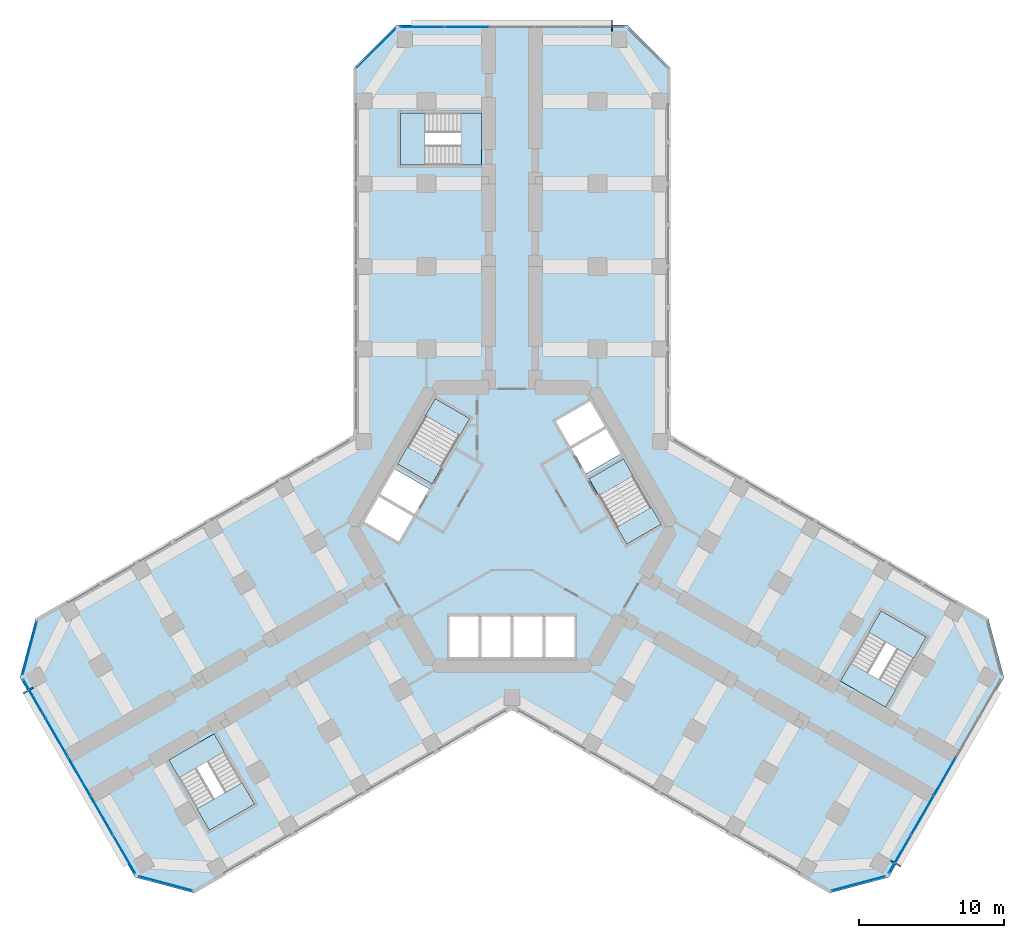
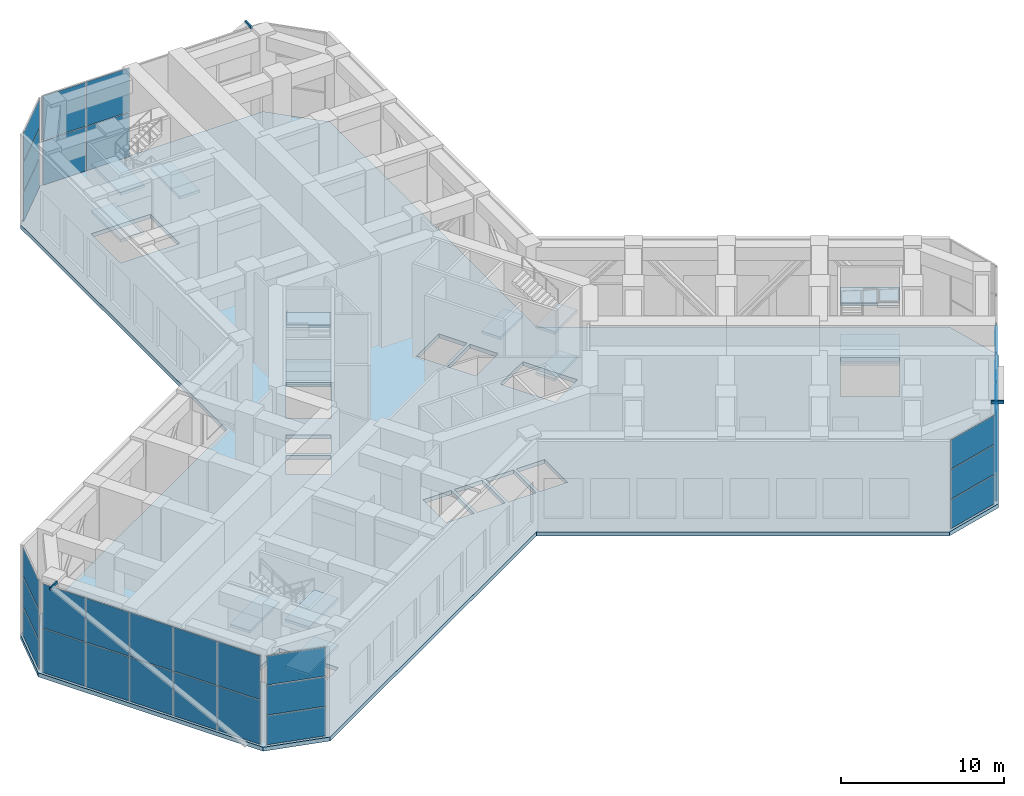
# One storey, part 9 of 17: 32 plates, 16 slabs, 3 members, 12 elements without a shape of their own.
"""IFC4 building model written with IfcOpenShell, lengths in metres."""

import ifcopenshell
import ifcopenshell.guid

model = None  # the IFC model being written
_history = None  # IfcOwnerHistory: only IFC2X3 demands one
_inside = {}  # id of a spatial element -> (the spatial element, [elements in it])
_under = {}  # id of a project, library or spatial element -> (it, [spatial elements below it])
_declared = {}  # id of a project -> (the project, [libraries it declares])
_typed = {}  # id of a type object -> (the type object, [elements of that type])
_made_of = {}  # id of a material, layer set ... -> (it, [elements and type objects made of it])


def new_model(schema):
    """Start an empty IFC model of exactly this schema.

    Asked for "IFC4X3", IfcOpenShell would pick the latest addendum, in which some entities
    have other attributes; the version numbers below select the first issue.
    IFC2X3 requires an IfcOwnerHistory on every rooted entity: one is made here for all.
    """
    global model, _history
    if schema == "IFC4X3":
        model = ifcopenshell.file(schema_version=(4, 3, 0, 0))
    else:
        model = ifcopenshell.file(schema=schema)
    _inside.clear()
    _under.clear()
    _declared.clear()
    _typed.clear()
    _made_of.clear()
    _history = None
    if model.schema == "IFC2X3":
        org = make("IfcOrganization", Name="unknown")
        user = make(
            "IfcPersonAndOrganization",
            ThePerson=make("IfcPerson", FamilyName="unknown"),
            TheOrganization=org,
        )
        app = make(
            "IfcApplication",
            ApplicationDeveloper=org,
            Version="unknown",
            ApplicationFullName="unknown",
            ApplicationIdentifier="unknown",
        )
        _history = make(
            "IfcOwnerHistory",
            OwningUser=user,
            OwningApplication=app,
            ChangeAction="ADDED",
            CreationDate=0,
        )
    return model


def make(cls, **values):
    """One entity of the class cls with the attributes given. An attribute that is None is left unset."""
    return model.create_entity(
        cls, **{name: value for name, value in values.items() if value is not None}
    )


def rooted(cls, **values):
    """An entity with a GlobalId (a new one), such as an element, a storey or a relation."""
    return make(cls, GlobalId=ifcopenshell.guid.new(), OwnerHistory=_history, **values)


def si_unit(unit_type, name, prefix=None):
    """IfcSIUnit, for example si_unit("LENGTHUNIT", "METRE", prefix="MILLI")."""
    return make("IfcSIUnit", UnitType=unit_type, Prefix=prefix, Name=name)


def assignment(units):
    """IfcUnitAssignment: the units of a project."""
    return None if units is None else make("IfcUnitAssignment", Units=units)


def point(xyz):
    """IfcCartesianPoint."""
    return None if xyz is None else make("IfcCartesianPoint", Coordinates=xyz)


def direction(xyz):
    """IfcDirection."""
    return None if xyz is None else make("IfcDirection", DirectionRatios=xyz)


def frame(location, z_axis=None, x_axis=None):
    """IfcAxis2Placement3D, a coordinate frame: its origin and axes. An axis left out is left unset."""
    return make(
        "IfcAxis2Placement3D",
        Location=point(location),
        Axis=direction(z_axis),
        RefDirection=direction(x_axis),
    )


def frame_2d(location, x_axis=None):
    """IfcAxis2Placement2D, a coordinate frame in the plane: its origin and x axis."""
    return make(
        "IfcAxis2Placement2D", Location=point(location), RefDirection=direction(x_axis)
    )


def origin():
    """The frame at (0, 0, 0) with its axes left unset."""
    return frame((0.0, 0.0, 0.0))


def origin_2d():
    """The frame at (0, 0) in the plane with its x axis left unset."""
    return frame_2d((0.0, 0.0))


def place(relative_to, where):
    """IfcLocalPlacement: puts the frame where relative to a parent placement (None: the world)."""
    return make(
        "IfcLocalPlacement", PlacementRelTo=relative_to, RelativePlacement=where
    )


def context(
    kind, dimensions, precision=None, world=None, true_north=None, identifier=None
):
    """IfcGeometricRepresentationContext, for example the 3D "Model" context."""
    return make(
        "IfcGeometricRepresentationContext",
        ContextIdentifier=identifier,
        ContextType=kind,
        CoordinateSpaceDimension=dimensions,
        Precision=precision,
        WorldCoordinateSystem=world,
        TrueNorth=true_north,
    )


def subcontext(parent, identifier, kind, view, scale=None):
    """IfcGeometricRepresentationSubContext, for example "Body" below "Model"."""
    return make(
        "IfcGeometricRepresentationSubContext",
        ContextIdentifier=identifier,
        ContextType=kind,
        ParentContext=parent,
        TargetScale=scale,
        TargetView=view,
    )


def project(units=None, contexts=None):
    """IfcProject with its units and contexts."""
    return rooted(
        "IfcProject",
        Name="project",
        RepresentationContexts=contexts,
        UnitsInContext=assignment(units),
    )


def spatial(cls, under=None, at=None, **own):
    """A site, building, storey or space (cls), placed at a placement, below another one or the project."""
    s = rooted(cls, ObjectPlacement=at, **own)
    if under is not None:
        _under.setdefault(under.id(), (under, []))[1].append(s)
    return s


def polyline(points):
    """IfcPolyline through the points."""
    return make("IfcPolyline", Points=[point(p) for p in points])


def profile(cls, at=None, kind="AREA", **sizes):
    """A parametric profile (cls). Its sizes go by their IFC names, for example OverallWidth=200.0."""
    return make(cls, ProfileType=kind, Position=at, **sizes)


def rectangle(**sizes):
    """IfcRectangleProfileDef."""
    return profile("IfcRectangleProfileDef", **sizes)


def hollow_rectangle(**sizes):
    """IfcRectangleHollowProfileDef."""
    return profile("IfcRectangleHollowProfileDef", **sizes)


def outline(outer, holes=None, kind="AREA"):
    """IfcArbitraryClosedProfileDef: a profile drawn as a closed curve; with holes, ...WithVoids."""
    if holes is None:
        return make("IfcArbitraryClosedProfileDef", ProfileType=kind, OuterCurve=outer)
    return make(
        "IfcArbitraryProfileDefWithVoids",
        ProfileType=kind,
        OuterCurve=outer,
        InnerCurves=holes,
    )


def extrude(swept, where, along, depth):
    """IfcExtrudedAreaSolid: the profile swept, set in the frame where, extruded along a direction by depth."""
    return make(
        "IfcExtrudedAreaSolid",
        SweptArea=swept,
        Position=where,
        ExtrudedDirection=direction(along),
        Depth=depth,
    )


def shape(context_of_items, identifier, shape_type, items):
    """IfcShapeRepresentation: the items that make up one representation, for example the "Body"."""
    return make(
        "IfcShapeRepresentation",
        ContextOfItems=context_of_items,
        RepresentationIdentifier=identifier,
        RepresentationType=shape_type,
        Items=items,
    )


def material(Name=None, Category=None):
    """IfcMaterial."""
    return make("IfcMaterial", Name=Name, Category=Category)


def layer(
    of_material, thickness, ventilated=None, Name=None, Category=None, Priority=None
):
    """IfcMaterialLayer: one layer of a wall or slab, of a material (None: an air gap)."""
    return make(
        "IfcMaterialLayer",
        Material=of_material,
        LayerThickness=thickness,
        IsVentilated=ventilated,
        Name=Name,
        Category=Category,
        Priority=Priority,
    )


def layer_set(layers, Name=None):
    """IfcMaterialLayerSet."""
    return make("IfcMaterialLayerSet", MaterialLayers=layers, LayerSetName=Name)


def material_profile(
    of_material, cross_section, Name=None, Category=None, Priority=None
):
    """IfcMaterialProfile: a cross section and its material."""
    return make(
        "IfcMaterialProfile",
        Name=Name,
        Material=of_material,
        Profile=cross_section,
        Priority=Priority,
        Category=Category,
    )


def profile_set(profiles, Name=None, composite=None):
    """IfcMaterialProfileSet."""
    return make(
        "IfcMaterialProfileSet",
        Name=Name,
        MaterialProfiles=profiles,
        CompositeProfile=composite,
    )


def made_of(thing, what):
    """Note that an element or type object is made of a material, layer set ...; save() writes the relation."""
    if what is not None:
        _made_of.setdefault(what.id(), (what, []))[1].append(thing)
    return thing


def type_object(cls, material=None, **own):
    """A type object (cls), such as IfcWallType, which elements share."""
    return made_of(rooted(cls, **own), material)


def element(
    cls,
    number,
    at=None,
    inside=None,
    cuts=None,
    type_object=None,
    material=None,
    context=None,
    identifier="Body",
    shape_type=None,
    held_by="IfcProductDefinitionShape",
    body=None,
    shapes=None,
    **own,
):
    """One element of the class cls, such as IfcWall. Its Tag is "e" and its number.

    at: its placement. inside: the storey or other place that contains it. cuts: it is an
    opening in that element (IfcRelVoidsElement). A single representation is given by context,
    identifier, shape_type and body (its items); several are given by shapes. held_by: the class
    of the entity that holds the representations. save() writes the other relations.
    """
    e = rooted(cls, Tag="e%d" % number, ObjectPlacement=at, **own)
    if body is not None:
        shapes = [shape(context, identifier, shape_type, body)]
    if shapes is not None:
        e.Representation = make(held_by, Representations=shapes)
    if inside is not None:
        _inside.setdefault(inside.id(), (inside, []))[1].append(e)
    if cuts is not None:
        rooted(
            "IfcRelVoidsElement", RelatingBuildingElement=cuts, RelatedOpeningElement=e
        )
    if type_object is not None:
        _typed.setdefault(type_object.id(), (type_object, []))[1].append(e)
    return made_of(e, material)


def aggregate(whole, parts):
    """IfcRelAggregates: a whole, such as a stair, and the parts it consists of."""
    return rooted("IfcRelAggregates", RelatingObject=whole, RelatedObjects=parts)


def save(model, path):
    """Write the relations noted so far, then the file.

    IfcRelAggregates (storeys below a building ...), IfcRelContainedInSpatialStructure (elements
    in a storey), IfcRelDefinesByType, IfcRelAssociatesMaterial and IfcRelDeclares: one each for
    every whole, place, type object, material and project.
    """
    for whole, parts in _under.values():
        aggregate(whole, parts)
    for where, things in _inside.values():
        rooted(
            "IfcRelContainedInSpatialStructure",
            RelatedElements=things,
            RelatingStructure=where,
        )
    for kind, things in _typed.values():
        rooted("IfcRelDefinesByType", RelatedObjects=things, RelatingType=kind)
    for what, things in _made_of.values():
        rooted("IfcRelAssociatesMaterial", RelatedObjects=things, RelatingMaterial=what)
    for by, libraries in _declared.values():
        rooted("IfcRelDeclares", RelatingContext=by, RelatedDefinitions=libraries)
    model.write(path)


model = new_model("IFC4")

# Units and contexts
model_context = context("Model", 3, precision=1e-05, world=origin(), true_north=direction((0.0, 1.0)))
body_context = subcontext(model_context, "Body", "Model", "MODEL_VIEW")
ifc_project = project(units=[si_unit("LENGTHUNIT", "METRE"), si_unit("AREAUNIT", "SQUARE_METRE"), si_unit("VOLUMEUNIT", "CUBIC_METRE"), si_unit("PLANEANGLEUNIT", "RADIAN"), si_unit("MASSUNIT", "GRAM", prefix="KILO")], contexts=[model_context])

# Site, building, storey
site_placement = place(None, origin())
site = spatial("IfcSite", under=ifc_project, at=site_placement, CompositionType="ELEMENT")
building_placement = place(site_placement, origin())
building = spatial("IfcBuilding", under=site, at=building_placement, Name="Kosmar Iwan School Tower", CompositionType="ELEMENT")
storey_placement = place(building_placement, frame((0.0, 0.0, 32.39990234375)))
storey = spatial("IfcBuildingStorey", under=building, at=storey_placement, Name="L07", CompositionType="ELEMENT", Elevation=32.39990234375)

# Members
ifc_material_1 = material(Name="Steel S355", Category="steel")
ifc_material_profile = material_profile(ifc_material_1, hollow_rectangle(XDim=0.10009765625, YDim=0.199951171875, WallThickness=0.008056640625, at=origin_2d()), Name="RHS 200x100x8")
ifc_profile_set = profile_set([ifc_material_profile], Name="Steel S355")
member_type = type_object("IfcMemberType", Name="Fin bracket RHS 200x100", PredefinedType="USERDEFINED", material=ifc_profile_set)
member_placement = place(storey_placement, frame((26.125732421875, -23.049072265625, 6.875), z_axis=(0.866017831539, -0.500013115284, 0.0), x_axis=(0.500013115284, 0.866017831539, 0.0)))
element("IfcMember", 1, at=member_placement, inside=storey, type_object=member_type, Name="Fin bracket L08", ObjectType="FIN BRACKET", PredefinedType="USERDEFINED", context=body_context, shape_type="SweptSolid", body=[
    extrude(hollow_rectangle(XDim=0.10009765625, YDim=0.199951171875, WallThickness=0.008056640625, at=origin_2d()), origin(), (0.0, 0.0, 1.0), 0.7998046875),
])
for number, where, z_axis, x_axis, name in (
    (2, (6.898193359375, 34.14990234375, 6.875), (0.0, 1.0, 0.0), (-1.0, 0.0, 0.0), "Fin bracket L08"),
    (3, (-33.02392578125, -11.10107421875, 6.875), (-0.866094119867, -0.499880961361, 0.0), (0.499880961361, -0.866094119867, 0.0), "Fin bracket L08"),
):
    element("IfcMember", number, at=place(storey_placement, frame(where, z_axis=z_axis, x_axis=x_axis)), inside=storey, type_object=member_type, Name=name, ObjectType="FIN BRACKET", PredefinedType="USERDEFINED", context=body_context, shape_type="SweptSolid", body=[
        extrude(hollow_rectangle(XDim=0.10009765625, YDim=0.199951171875, WallThickness=0.008056640625, at=origin_2d()), origin(), (0.0, 0.0, 1.0), 0.800048828125),
    ])

# Curtain wall, plates
ifc_material_2 = material(Name="Black aluminium louvres and glass", Category="aluminium")
curtain_wall_type_1 = type_object("IfcCurtainWallType", Name="Plant floor louvred curtain wall", PredefinedType="USERDEFINED", material=ifc_material_2)
curtain_wall_1_placement = place(storey_placement, origin())
curtain_wall_1 = element("IfcCurtainWall", 4, at=curtain_wall_1_placement, inside=storey, type_object=curtain_wall_type_1, Name="Curtain wall L07-F03", ObjectType="LOUVRED CURTAIN WALL", PredefinedType="USERDEFINED")
ifc_material_3 = material(Name="Black anodised aluminium louvre blades", Category="aluminium")
ifc_layer_1 = layer(ifc_material_3, 0.050048828125)
ifc_layer_set_1 = layer_set([ifc_layer_1], Name="Aluminium louvre panel")
plate_type_1 = type_object("IfcPlateType", Name="Aluminium louvre panel", PredefinedType="SHEET", material=ifc_layer_set_1)
plate_1_placement = place(storey_placement, frame((26.764404296875, -22.592529296875, 0.06005859375), z_axis=(0.0, 0.0, 1.0), x_axis=(0.499999997325, 0.866025405329, 0.0)))
plate_1 = element("IfcPlate", 5, at=plate_1_placement, type_object=plate_type_1, Name="CW4 panel 1.1", PredefinedType="CURTAIN_PANEL", context=body_context, shape_type="SweptSolid", body=[
    extrude(rectangle(XDim=3.00927734375, YDim=0.050048828125, at=origin_2d()), origin(), (0.0, 0.0, 1.0), 3.284912109375),
])
plate_2_placement = place(storey_placement, frame((26.764404296875, -22.592529296875, 3.4052734375), z_axis=(0.0, 0.0, 1.0), x_axis=(0.499999997325, 0.866025405329, 0.0)))
plate_2 = element("IfcPlate", 6, at=plate_2_placement, type_object=plate_type_1, Name="CW4 panel 1.2", PredefinedType="CURTAIN_PANEL", context=body_context, shape_type="SweptSolid", body=[
    extrude(rectangle(XDim=3.00927734375, YDim=0.050048828125, at=origin_2d()), origin(), (0.0, 0.0, 1.0), 3.284912109375),
])
plate_3_placement = place(storey_placement, frame((28.306640625, -19.921630859375, 0.06005859375), z_axis=(0.0, 0.0, 1.0), x_axis=(0.499999997325, 0.866025405329, 0.0)))
plate_3 = element("IfcPlate", 7, at=plate_3_placement, type_object=plate_type_1, Name="CW4 panel 2.1", PredefinedType="CURTAIN_PANEL", context=body_context, shape_type="SweptSolid", body=[
    extrude(rectangle(XDim=3.039306640625, YDim=0.050048828125, at=origin_2d()), origin(), (0.0, 0.0, 1.0), 3.284912109375),
])
plate_4_placement = place(storey_placement, frame((28.306640625, -19.921630859375, 3.4052734375), z_axis=(0.0, 0.0, 1.0), x_axis=(0.499999997325, 0.866025405329, 0.0)))
plate_4 = element("IfcPlate", 8, at=plate_4_placement, type_object=plate_type_1, Name="CW4 panel 2.2", PredefinedType="CURTAIN_PANEL", context=body_context, shape_type="SweptSolid", body=[
    extrude(rectangle(XDim=3.039306640625, YDim=0.050048828125, at=origin_2d()), origin(), (0.0, 0.0, 1.0), 3.284912109375),
])
plate_5_placement = place(storey_placement, frame((29.856201171875, -17.237548828125, 0.06005859375), z_axis=(0.0, 0.0, 1.0), x_axis=(0.499999997325, 0.866025405329, 0.0)))
plate_5 = element("IfcPlate", 9, at=plate_5_placement, type_object=plate_type_1, Name="CW4 panel 3.1", PredefinedType="CURTAIN_PANEL", context=body_context, shape_type="SweptSolid", body=[
    extrude(rectangle(XDim=3.039306640625, YDim=0.050048828125, at=origin_2d()), origin(), (0.0, 0.0, 1.0), 3.284912109375),
])
plate_6_placement = place(storey_placement, frame((29.856201171875, -17.237548828125, 3.4052734375), z_axis=(0.0, 0.0, 1.0), x_axis=(0.499999997325, 0.866025405329, 0.0)))
plate_6 = element("IfcPlate", 10, at=plate_6_placement, type_object=plate_type_1, Name="CW4 panel 3.2", PredefinedType="CURTAIN_PANEL", context=body_context, shape_type="SweptSolid", body=[
    extrude(rectangle(XDim=3.039306640625, YDim=0.050048828125, at=origin_2d()), origin(), (0.0, 0.0, 1.0), 3.284912109375),
])
aggregate(curtain_wall_1, [plate_1, plate_2, plate_3, plate_4, plate_5, plate_6])

curtain_wall_2_placement = place(storey_placement, origin())
curtain_wall_2 = element("IfcCurtainWall", 11, at=curtain_wall_2_placement, inside=storey, type_object=curtain_wall_type_1, Name="Curtain wall L07-F08", ObjectType="LOUVRED CURTAIN WALL", PredefinedType="USERDEFINED")
plate_7_placement = place(storey_placement, frame((-3.099365234375, 34.47509765625, 0.06005859375), z_axis=(0.0, 0.0, 1.0), x_axis=(-1.0, 0.0, 0.0)))
plate_7 = element("IfcPlate", 12, at=plate_7_placement, type_object=plate_type_1, Name="CW4 panel 4.1", PredefinedType="CURTAIN_PANEL", context=body_context, shape_type="SweptSolid", body=[
    extrude(rectangle(XDim=3.039306640625, YDim=0.050048828125, at=origin_2d()), origin(), (0.0, 0.0, 1.0), 3.284912109375),
])
plate_8_placement = place(storey_placement, frame((-3.099365234375, 34.47509765625, 3.4052734375), z_axis=(0.0, 0.0, 1.0), x_axis=(-1.0, 0.0, 0.0)))
plate_8 = element("IfcPlate", 13, at=plate_8_placement, type_object=plate_type_1, Name="CW4 panel 4.2", PredefinedType="CURTAIN_PANEL", context=body_context, shape_type="SweptSolid", body=[
    extrude(rectangle(XDim=3.039306640625, YDim=0.050048828125, at=origin_2d()), origin(), (0.0, 0.0, 1.0), 3.284912109375),
])
plate_9_placement = place(storey_placement, frame((-6.18359375, 34.47509765625, 0.06005859375), z_axis=(0.0, 0.0, 1.0), x_axis=(-1.0, 0.0, 0.0)))
plate_9 = element("IfcPlate", 14, at=plate_9_placement, type_object=plate_type_1, Name="CW4 panel 5.1", PredefinedType="CURTAIN_PANEL", context=body_context, shape_type="SweptSolid", body=[
    extrude(rectangle(XDim=3.00927734375, YDim=0.050048828125, at=origin_2d()), origin(), (0.0, 0.0, 1.0), 3.284912109375),
])
plate_10_placement = place(storey_placement, frame((-6.18359375, 34.47509765625, 3.4052734375), z_axis=(0.0, 0.0, 1.0), x_axis=(-1.0, 0.0, 0.0)))
plate_10 = element("IfcPlate", 15, at=plate_10_placement, type_object=plate_type_1, Name="CW4 panel 5.2", PredefinedType="CURTAIN_PANEL", context=body_context, shape_type="SweptSolid", body=[
    extrude(rectangle(XDim=3.00927734375, YDim=0.050048828125, at=origin_2d()), origin(), (0.0, 0.0, 1.0), 3.284912109375),
])
aggregate(curtain_wall_2, [plate_7, plate_8, plate_9, plate_10])

curtain_wall_3_placement = place(storey_placement, origin())
curtain_wall_3 = element("IfcCurtainWall", 16, at=curtain_wall_3_placement, inside=storey, type_object=curtain_wall_type_1, Name="Curtain wall L07-F13", ObjectType="LOUVRED CURTAIN WALL", PredefinedType="USERDEFINED")
plate_11_placement = place(storey_placement, frame((-32.947998046875, -11.88232421875, 0.06005859375), z_axis=(0.0, 0.0, 1.0), x_axis=(0.499999997325, -0.866025405329, 0.0)))
plate_11 = element("IfcPlate", 17, at=plate_11_placement, type_object=plate_type_1, Name="CW4 panel 1.1", PredefinedType="CURTAIN_PANEL", context=body_context, shape_type="SweptSolid", body=[
    extrude(rectangle(XDim=3.00927734375, YDim=0.050048828125, at=origin_2d()), origin(), (0.0, 0.0, 1.0), 3.284912109375),
])
plate_12_placement = place(storey_placement, frame((-32.947998046875, -11.88232421875, 3.4052734375), z_axis=(0.0, 0.0, 1.0), x_axis=(0.499999997325, -0.866025405329, 0.0)))
plate_12 = element("IfcPlate", 18, at=plate_12_placement, type_object=plate_type_1, Name="CW4 panel 1.2", PredefinedType="CURTAIN_PANEL", context=body_context, shape_type="SweptSolid", body=[
    extrude(rectangle(XDim=3.00927734375, YDim=0.050048828125, at=origin_2d()), origin(), (0.0, 0.0, 1.0), 3.284912109375),
])
plate_13_placement = place(storey_placement, frame((-31.40576171875, -14.553466796875, 0.06005859375), z_axis=(0.0, 0.0, 1.0), x_axis=(0.499999997325, -0.866025405329, 0.0)))
plate_13 = element("IfcPlate", 19, at=plate_13_placement, type_object=plate_type_1, Name="CW4 panel 2.1", PredefinedType="CURTAIN_PANEL", context=body_context, shape_type="SweptSolid", body=[
    extrude(rectangle(XDim=3.039306640625, YDim=0.050048828125, at=origin_2d()), origin(), (0.0, 0.0, 1.0), 3.284912109375),
])
plate_14_placement = place(storey_placement, frame((-31.40576171875, -14.553466796875, 3.4052734375), z_axis=(0.0, 0.0, 1.0), x_axis=(0.499999997325, -0.866025405329, 0.0)))
plate_14 = element("IfcPlate", 20, at=plate_14_placement, type_object=plate_type_1, Name="CW4 panel 2.2", PredefinedType="CURTAIN_PANEL", context=body_context, shape_type="SweptSolid", body=[
    extrude(rectangle(XDim=3.039306640625, YDim=0.050048828125, at=origin_2d()), origin(), (0.0, 0.0, 1.0), 3.284912109375),
])
plate_15_placement = place(storey_placement, frame((-29.856201171875, -17.237548828125, 0.06005859375), z_axis=(0.0, 0.0, 1.0), x_axis=(0.499999997325, -0.866025405329, 0.0)))
plate_15 = element("IfcPlate", 21, at=plate_15_placement, type_object=plate_type_1, Name="CW4 panel 3.1", PredefinedType="CURTAIN_PANEL", context=body_context, shape_type="SweptSolid", body=[
    extrude(rectangle(XDim=3.039306640625, YDim=0.050048828125, at=origin_2d()), origin(), (0.0, 0.0, 1.0), 3.284912109375),
])
plate_16_placement = place(storey_placement, frame((-29.856201171875, -17.237548828125, 3.4052734375), z_axis=(0.0, 0.0, 1.0), x_axis=(0.499999997325, -0.866025405329, 0.0)))
plate_16 = element("IfcPlate", 22, at=plate_16_placement, type_object=plate_type_1, Name="CW4 panel 3.2", PredefinedType="CURTAIN_PANEL", context=body_context, shape_type="SweptSolid", body=[
    extrude(rectangle(XDim=3.039306640625, YDim=0.050048828125, at=origin_2d()), origin(), (0.0, 0.0, 1.0), 3.284912109375),
])
plate_17_placement = place(storey_placement, frame((-28.306640625, -19.921630859375, 0.06005859375), z_axis=(0.0, 0.0, 1.0), x_axis=(0.499999997325, -0.866025405329, 0.0)))
plate_17 = element("IfcPlate", 23, at=plate_17_placement, type_object=plate_type_1, Name="CW4 panel 4.1", PredefinedType="CURTAIN_PANEL", context=body_context, shape_type="SweptSolid", body=[
    extrude(rectangle(XDim=3.039306640625, YDim=0.050048828125, at=origin_2d()), origin(), (0.0, 0.0, 1.0), 3.284912109375),
])
plate_18_placement = place(storey_placement, frame((-28.306640625, -19.921630859375, 3.4052734375), z_axis=(0.0, 0.0, 1.0), x_axis=(0.499999997325, -0.866025405329, 0.0)))
plate_18 = element("IfcPlate", 24, at=plate_18_placement, type_object=plate_type_1, Name="CW4 panel 4.2", PredefinedType="CURTAIN_PANEL", context=body_context, shape_type="SweptSolid", body=[
    extrude(rectangle(XDim=3.039306640625, YDim=0.050048828125, at=origin_2d()), origin(), (0.0, 0.0, 1.0), 3.284912109375),
])
plate_19_placement = place(storey_placement, frame((-26.764404296875, -22.592529296875, 0.06005859375), z_axis=(0.0, 0.0, 1.0), x_axis=(0.499999997325, -0.866025405329, 0.0)))
plate_19 = element("IfcPlate", 25, at=plate_19_placement, type_object=plate_type_1, Name="CW4 panel 5.1", PredefinedType="CURTAIN_PANEL", context=body_context, shape_type="SweptSolid", body=[
    extrude(rectangle(XDim=3.00927734375, YDim=0.050048828125, at=origin_2d()), origin(), (0.0, 0.0, 1.0), 3.284912109375),
])
plate_20_placement = place(storey_placement, frame((-26.764404296875, -22.592529296875, 3.4052734375), z_axis=(0.0, 0.0, 1.0), x_axis=(0.499999997325, -0.866025405329, 0.0)))
plate_20 = element("IfcPlate", 26, at=plate_20_placement, type_object=plate_type_1, Name="CW4 panel 5.2", PredefinedType="CURTAIN_PANEL", context=body_context, shape_type="SweptSolid", body=[
    extrude(rectangle(XDim=3.00927734375, YDim=0.050048828125, at=origin_2d()), origin(), (0.0, 0.0, 1.0), 3.284912109375),
])
aggregate(curtain_wall_3, [plate_11, plate_12, plate_13, plate_14, plate_15, plate_16, plate_17, plate_18, plate_19, plate_20])

ifc_material_4 = material(Name="Dark glass in black aluminium frame", Category="aluminium")
curtain_wall_type_2 = type_object("IfcCurtainWallType", Name="Chamfer curtain wall dark glass", PredefinedType="USERDEFINED", material=ifc_material_4)
curtain_wall_4_placement = place(storey_placement, origin())
curtain_wall_4 = element("IfcCurtainWall", 27, at=curtain_wall_4_placement, inside=storey, type_object=curtain_wall_type_2, Name="Curtain wall L07-F02", ObjectType="FACETED CURTAIN WALL", PredefinedType="USERDEFINED")
ifc_material_5 = material(Name="Dark glass", Category="glass")
ifc_layer_2 = layer(ifc_material_5, 0.028076171875)
ifc_layer_set_2 = layer_set([ifc_layer_2], Name="Dark glass panel 28")
plate_type_2 = type_object("IfcPlateType", Name="Dark glass panel 28", PredefinedType="CURTAIN_PANEL", material=ifc_layer_set_2)
plate_21_placement = place(storey_placement, frame((23.908203125, -24.61328125, 0.06005859375), z_axis=(0.0, 0.0, 1.0), x_axis=(0.965925875495, 0.258818861462, 0.0)))
plate_21 = element("IfcPlate", 28, at=plate_21_placement, type_object=plate_type_2, Name="CW2 panel 1.1", PredefinedType="CURTAIN_PANEL", context=body_context, shape_type="SweptSolid", body=[
    extrude(rectangle(XDim=3.718994140625, YDim=0.028076171875, at=origin_2d()), origin(), (0.0, 0.0, 1.0), 2.159912109375),
])
plate_22_placement = place(storey_placement, frame((23.908203125, -24.61328125, 2.280029296875), z_axis=(0.0, 0.0, 1.0), x_axis=(0.965925875495, 0.258818861462, 0.0)))
plate_22 = element("IfcPlate", 29, at=plate_22_placement, type_object=plate_type_2, Name="CW2 panel 1.2", PredefinedType="CURTAIN_PANEL", context=body_context, shape_type="SweptSolid", body=[
    extrude(rectangle(XDim=3.718994140625, YDim=0.028076171875, at=origin_2d()), origin(), (0.0, 0.0, 1.0), 2.18994140625),
])
plate_23_placement = place(storey_placement, frame((23.908203125, -24.61328125, 4.5302734375), z_axis=(0.0, 0.0, 1.0), x_axis=(0.965925875495, 0.258818861462, 0.0)))
plate_23 = element("IfcPlate", 30, at=plate_23_placement, type_object=plate_type_2, Name="CW2 panel 1.3", PredefinedType="CURTAIN_PANEL", context=body_context, shape_type="SweptSolid", body=[
    extrude(rectangle(XDim=3.718994140625, YDim=0.028076171875, at=origin_2d()), origin(), (0.0, 0.0, 1.0), 2.159912109375),
])
aggregate(curtain_wall_4, [plate_21, plate_22, plate_23])

curtain_wall_5_placement = place(storey_placement, origin())
curtain_wall_5 = element("IfcCurtainWall", 31, at=curtain_wall_5_placement, inside=storey, type_object=curtain_wall_type_2, Name="Curtain wall L07-F09", ObjectType="FACETED CURTAIN WALL", PredefinedType="USERDEFINED")
plate_24_placement = place(storey_placement, frame((-9.361572265625, 33.01171875, 0.06005859375), z_axis=(0.0, 0.0, 1.0), x_axis=(-0.707106781187, -0.707106781187, 0.0)))
plate_24 = element("IfcPlate", 32, at=plate_24_placement, type_object=plate_type_2, Name="CW2 panel 1.1", PredefinedType="CURTAIN_PANEL", context=body_context, shape_type="SweptSolid", body=[
    extrude(rectangle(XDim=3.718994140625, YDim=0.028076171875, at=origin_2d()), origin(), (0.0, 0.0, 1.0), 2.159912109375),
])
plate_25_placement = place(storey_placement, frame((-9.361572265625, 33.01171875, 2.280029296875), z_axis=(0.0, 0.0, 1.0), x_axis=(-0.707106781187, -0.707106781187, 0.0)))
plate_25 = element("IfcPlate", 33, at=plate_25_placement, type_object=plate_type_2, Name="CW2 panel 1.2", PredefinedType="CURTAIN_PANEL", context=body_context, shape_type="SweptSolid", body=[
    extrude(rectangle(XDim=3.718994140625, YDim=0.028076171875, at=origin_2d()), origin(), (0.0, 0.0, 1.0), 2.18994140625),
])
plate_26_placement = place(storey_placement, frame((-9.361572265625, 33.01171875, 4.5302734375), z_axis=(0.0, 0.0, 1.0), x_axis=(-0.707106781187, -0.707106781187, 0.0)))
plate_26 = element("IfcPlate", 34, at=plate_26_placement, type_object=plate_type_2, Name="CW2 panel 1.3", PredefinedType="CURTAIN_PANEL", context=body_context, shape_type="SweptSolid", body=[
    extrude(rectangle(XDim=3.718994140625, YDim=0.028076171875, at=origin_2d()), origin(), (0.0, 0.0, 1.0), 2.159912109375),
])
aggregate(curtain_wall_5, [plate_24, plate_25, plate_26])

curtain_wall_6_placement = place(storey_placement, origin())
curtain_wall_6 = element("IfcCurtainWall", 35, at=curtain_wall_6_placement, inside=storey, type_object=curtain_wall_type_2, Name="Curtain wall L07-F12", ObjectType="FACETED CURTAIN WALL", PredefinedType="USERDEFINED")
plate_27_placement = place(storey_placement, frame((-33.269775390625, -8.3984375, 0.06005859375), z_axis=(0.0, 0.0, 1.0), x_axis=(-0.258818861462, -0.965925875495, 0.0)))
plate_27 = element("IfcPlate", 36, at=plate_27_placement, type_object=plate_type_2, Name="CW2 panel 1.1", PredefinedType="CURTAIN_PANEL", context=body_context, shape_type="SweptSolid", body=[
    extrude(rectangle(XDim=3.718994140625, YDim=0.028076171875, at=origin_2d()), origin(), (0.0, 0.0, 1.0), 2.159912109375),
])
plate_28_placement = place(storey_placement, frame((-33.269775390625, -8.3984375, 2.280029296875), z_axis=(0.0, 0.0, 1.0), x_axis=(-0.258818861462, -0.965925875495, 0.0)))
plate_28 = element("IfcPlate", 37, at=plate_28_placement, type_object=plate_type_2, Name="CW2 panel 1.2", PredefinedType="CURTAIN_PANEL", context=body_context, shape_type="SweptSolid", body=[
    extrude(rectangle(XDim=3.718994140625, YDim=0.028076171875, at=origin_2d()), origin(), (0.0, 0.0, 1.0), 2.18994140625),
])
plate_29_placement = place(storey_placement, frame((-33.269775390625, -8.3984375, 4.5302734375), z_axis=(0.0, 0.0, 1.0), x_axis=(-0.258818861462, -0.965925875495, 0.0)))
plate_29 = element("IfcPlate", 38, at=plate_29_placement, type_object=plate_type_2, Name="CW2 panel 1.3", PredefinedType="CURTAIN_PANEL", context=body_context, shape_type="SweptSolid", body=[
    extrude(rectangle(XDim=3.718994140625, YDim=0.028076171875, at=origin_2d()), origin(), (0.0, 0.0, 1.0), 2.159912109375),
])
aggregate(curtain_wall_6, [plate_27, plate_28, plate_29])

curtain_wall_7_placement = place(storey_placement, origin())
curtain_wall_7 = element("IfcCurtainWall", 39, at=curtain_wall_7_placement, inside=storey, type_object=curtain_wall_type_2, Name="Curtain wall L07-F14", ObjectType="FACETED CURTAIN WALL", PredefinedType="USERDEFINED")
plate_30_placement = place(storey_placement, frame((-23.908203125, -24.61328125, 0.06005859375), z_axis=(0.0, 0.0, 1.0), x_axis=(0.965925875495, -0.258818861462, 0.0)))
plate_30 = element("IfcPlate", 40, at=plate_30_placement, type_object=plate_type_2, Name="CW2 panel 1.1", PredefinedType="CURTAIN_PANEL", context=body_context, shape_type="SweptSolid", body=[
    extrude(rectangle(XDim=3.718994140625, YDim=0.028076171875, at=origin_2d()), origin(), (0.0, 0.0, 1.0), 2.159912109375),
])
plate_31_placement = place(storey_placement, frame((-23.908203125, -24.61328125, 2.280029296875), z_axis=(0.0, 0.0, 1.0), x_axis=(0.965925875495, -0.258818861462, 0.0)))
plate_31 = element("IfcPlate", 41, at=plate_31_placement, type_object=plate_type_2, Name="CW2 panel 1.2", PredefinedType="CURTAIN_PANEL", context=body_context, shape_type="SweptSolid", body=[
    extrude(rectangle(XDim=3.718994140625, YDim=0.028076171875, at=origin_2d()), origin(), (0.0, 0.0, 1.0), 2.18994140625),
])
plate_32_placement = place(storey_placement, frame((-23.908203125, -24.61328125, 4.5302734375), z_axis=(0.0, 0.0, 1.0), x_axis=(0.965925875495, -0.258818861462, 0.0)))
plate_32 = element("IfcPlate", 42, at=plate_32_placement, type_object=plate_type_2, Name="CW2 panel 1.3", PredefinedType="CURTAIN_PANEL", context=body_context, shape_type="SweptSolid", body=[
    extrude(rectangle(XDim=3.718994140625, YDim=0.028076171875, at=origin_2d()), origin(), (0.0, 0.0, 1.0), 2.159912109375),
])
aggregate(curtain_wall_7, [plate_30, plate_31, plate_32])

# Stair, slabs
ifc_material_6 = material(Name="Concrete C35/45", Category="concrete")
stair_type_1 = type_object("IfcStairType", Name="Escape stair 3600", PredefinedType="HALF_TURN_STAIR", material=ifc_material_6)
stair_1_placement = place(storey_placement, origin())
stair_1 = element("IfcStair", 43, at=stair_1_placement, inside=storey, type_object=stair_type_1, Name="Stair WS1 L07", PredefinedType="HALF_TURN_STAIR")
ifc_material_7 = material(Name="Concrete C35/45", Category="concrete")
ifc_layer_3 = layer(ifc_material_7, 0.199951171875)
ifc_layer_set_3 = layer_set([ifc_layer_3], Name="Escape stair landing 200")
slab_type_1 = type_object("IfcSlabType", Name="Escape stair landing 200", PredefinedType="LANDING", material=ifc_layer_set_3)
slab_1_placement = place(storey_placement, frame((0.0, 0.0, 1.550048828125)))
slab_1 = element("IfcSlab", 44, at=slab_1_placement, type_object=slab_type_1, Name="WS1 landing 1", PredefinedType="LANDING", context=body_context, shape_type="SweptSolid", body=[
    extrude(outline(polyline([(-6.0, 24.949951171875), (-6.0, 28.550048828125), (-7.699951171875, 28.550048828125), (-7.699951171875, 24.949951171875), (-6.0, 24.949951171875)])), origin(), (0.0, 0.0, 1.0), 0.199951171875),
])
slab_2_placement = place(storey_placement, frame((0.0, 0.0, 3.300048828125)))
slab_2 = element("IfcSlab", 45, at=slab_2_placement, type_object=slab_type_1, Name="WS1 landing 2", PredefinedType="LANDING", context=body_context, shape_type="SweptSolid", body=[
    extrude(outline(polyline([(-2.10009765625, 24.949951171875), (-2.10009765625, 28.550048828125), (-3.52001953125, 28.550048828125), (-3.52001953125, 24.949951171875), (-2.10009765625, 24.949951171875)])), origin(), (0.0, 0.0, 1.0), 0.199951171875),
])
slab_3_placement = place(storey_placement, frame((0.0, 0.0, 5.050048828125)))
slab_3 = element("IfcSlab", 46, at=slab_3_placement, type_object=slab_type_1, Name="WS1 landing 3", PredefinedType="LANDING", context=body_context, shape_type="SweptSolid", body=[
    extrude(outline(polyline([(-6.0, 24.949951171875), (-6.0, 28.550048828125), (-7.699951171875, 28.550048828125), (-7.699951171875, 24.949951171875), (-6.0, 24.949951171875)])), origin(), (0.0, 0.0, 1.0), 0.199951171875),
])
aggregate(stair_1, [slab_1, slab_2, slab_3])

stair_2_placement = place(storey_placement, origin())
stair_2 = element("IfcStair", 47, at=stair_2_placement, inside=storey, type_object=stair_type_1, Name="Stair WS2 L07", PredefinedType="HALF_TURN_STAIR")
slab_4_placement = place(storey_placement, frame((0.0, 0.0, 1.550048828125)))
slab_4 = element("IfcSlab", 48, at=slab_4_placement, type_object=slab_type_1, Name="WS2 landing 1", PredefinedType="LANDING", context=body_context, shape_type="SweptSolid", body=[
    extrude(outline(polyline([(-18.607421875, -17.671142578125), (-21.72509765625, -19.47119140625), (-20.875, -20.943359375), (-17.75732421875, -19.143310546875), (-18.607421875, -17.671142578125)])), origin(), (0.0, 0.0, 1.0), 0.199951171875),
])
slab_5_placement = place(storey_placement, frame((0.0, 0.0, 3.300048828125)))
slab_5 = element("IfcSlab", 49, at=slab_5_placement, type_object=slab_type_1, Name="WS2 landing 2", PredefinedType="LANDING", context=body_context, shape_type="SweptSolid", body=[
    extrude(outline(polyline([(-20.557373046875, -14.293701171875), (-23.675048828125, -16.09375), (-22.965087890625, -17.323486328125), (-19.847412109375, -15.5234375), (-20.557373046875, -14.293701171875)])), origin(), (0.0, 0.0, 1.0), 0.199951171875),
])
slab_6_placement = place(storey_placement, frame((0.0, 0.0, 5.050048828125)))
slab_6 = element("IfcSlab", 50, at=slab_6_placement, type_object=slab_type_1, Name="WS2 landing 3", PredefinedType="LANDING", context=body_context, shape_type="SweptSolid", body=[
    extrude(outline(polyline([(-18.607421875, -17.671142578125), (-21.72509765625, -19.47119140625), (-20.875, -20.943359375), (-17.75732421875, -19.143310546875), (-18.607421875, -17.671142578125)])), origin(), (0.0, 0.0, 1.0), 0.199951171875),
])
aggregate(stair_2, [slab_4, slab_5, slab_6])

stair_3_placement = place(storey_placement, origin())
stair_3 = element("IfcStair", 51, at=stair_3_placement, inside=storey, type_object=stair_type_1, Name="Stair WS3 L07", PredefinedType="HALF_TURN_STAIR")
slab_7_placement = place(storey_placement, frame((0.0, 0.0, 1.550048828125)))
slab_7 = element("IfcSlab", 52, at=slab_7_placement, type_object=slab_type_1, Name="WS3 landing 1", PredefinedType="LANDING", context=body_context, shape_type="SweptSolid", body=[
    extrude(outline(polyline([(24.607421875, -7.27880859375), (27.72509765625, -9.078857421875), (28.574951171875, -7.606689453125), (25.457275390625, -5.806640625), (24.607421875, -7.27880859375)])), origin(), (0.0, 0.0, 1.0), 0.199951171875),
])
slab_8_placement = place(storey_placement, frame((0.0, 0.0, 3.300048828125)))
slab_8 = element("IfcSlab", 53, at=slab_8_placement, type_object=slab_type_1, Name="WS3 landing 2", PredefinedType="LANDING", context=body_context, shape_type="SweptSolid", body=[
    extrude(outline(polyline([(22.6572265625, -10.65625), (25.775146484375, -12.456298828125), (26.485107421875, -11.2265625), (23.367431640625, -9.426513671875), (22.6572265625, -10.65625)])), origin(), (0.0, 0.0, 1.0), 0.199951171875),
])
slab_9_placement = place(storey_placement, frame((0.0, 0.0, 5.050048828125)))
slab_9 = element("IfcSlab", 54, at=slab_9_placement, type_object=slab_type_1, Name="WS3 landing 3", PredefinedType="LANDING", context=body_context, shape_type="SweptSolid", body=[
    extrude(outline(polyline([(24.607421875, -7.27880859375), (27.72509765625, -9.078857421875), (28.574951171875, -7.606689453125), (25.457275390625, -5.806640625), (24.607421875, -7.27880859375)])), origin(), (0.0, 0.0, 1.0), 0.199951171875),
])
aggregate(stair_3, [slab_7, slab_8, slab_9])

# Slab
ifc_material_8 = material(Name="Concrete C35/45", Category="concrete")
ifc_layer_4 = layer(ifc_material_8, 0.300048828125)
ifc_layer_set_4 = layer_set([ifc_layer_4], Name="Plant floor slab 300")
slab_type_2 = type_object("IfcSlabType", Name="Plant floor slab 300", PredefinedType="FLOOR", material=ifc_layer_set_4)
slab_10_placement = place(storey_placement, frame((0.0, 0.0, -0.2998046875)))
element("IfcSlab", 55, at=slab_10_placement, inside=storey, type_object=slab_type_2, Name="L07 floor slab", PredefinedType="FLOOR", context=body_context, shape_type="SweptSolid", body=[
    extrude(outline(polyline([(-21.891357421875, -25.282958984375), (0.0, -12.64404296875), (21.891357421875, -25.282958984375), (25.989501953125, -24.184814453125), (33.939453125, -10.4150390625), (32.84130859375, -6.317138671875), (10.949951171875, 6.322021484375), (10.949951171875, 31.60009765625), (7.949951171875, 34.60009765625), (-7.949951171875, 34.60009765625), (-10.949951171875, 31.60009765625), (-10.949951171875, 6.322021484375), (-32.84130859375, -6.317138671875), (-33.939453125, -10.4150390625), (-25.989501953125, -24.184814453125), (-21.891357421875, -25.282958984375)]), holes=[polyline([(7.91259765625, -1.205078125), (10.294189453125, 0.169921875), (8.3642578125, 3.5126953125), (5.982666015625, 2.1376953125), (7.91259765625, -1.205078125)]), polyline([(-2.91259765625, 7.455078125), (-5.294189453125, 8.830078125), (-7.22412109375, 5.4873046875), (-4.8427734375, 4.1123046875), (-2.91259765625, 7.455078125)]), polyline([(-5.712646484375, 2.60546875), (-8.09423828125, 3.98046875), (-9.09423828125, 2.248291015625), (-6.712646484375, 0.873291015625), (-5.712646484375, 2.60546875)]), polyline([(-6.812744140625, 0.7001953125), (-9.1943359375, 2.0751953125), (-10.1943359375, 0.343017578125), (-7.812744140625, -1.031982421875), (-6.812744140625, 0.7001953125)]), polyline([(5.112548828125, 3.64453125), (7.494140625, 5.01953125), (6.494140625, 6.751708984375), (4.112548828125, 5.376708984375), (5.112548828125, 3.64453125)]), polyline([(4.0126953125, 5.5498046875), (6.394287109375, 6.9248046875), (5.394287109375, 8.656982421875), (3.0126953125, 7.281982421875), (4.0126953125, 5.5498046875)]), polyline([(-4.300048828125, -6.199951171875), (-4.300048828125, -9.0), (-2.300048828125, -9.0), (-2.300048828125, -6.199951171875), (-4.300048828125, -6.199951171875)]), polyline([(-2.10009765625, -6.199951171875), (-2.10009765625, -9.0), (-0.10009765625, -9.0), (-0.10009765625, -6.199951171875), (-2.10009765625, -6.199951171875)]), polyline([(0.10009765625, -6.199951171875), (0.10009765625, -9.0), (2.10009765625, -9.0), (2.10009765625, -6.199951171875), (0.10009765625, -6.199951171875)]), polyline([(2.300048828125, -6.199951171875), (2.300048828125, -9.0), (4.300048828125, -9.0), (4.300048828125, -6.199951171875), (2.300048828125, -6.199951171875)]), polyline([(-3.52001953125, 24.949951171875), (-3.52001953125, 28.550048828125), (-7.699951171875, 28.550048828125), (-7.699951171875, 24.949951171875), (-3.52001953125, 24.949951171875)]), polyline([(-19.847412109375, -15.5234375), (-22.965087890625, -17.323486328125), (-20.875, -20.943359375), (-17.75732421875, -19.143310546875), (-19.847412109375, -15.5234375)]), polyline([(23.367431640625, -9.426513671875), (26.485107421875, -11.2265625), (28.574951171875, -7.606689453125), (25.457275390625, -5.806640625), (23.367431640625, -9.426513671875)])]), origin(), (0.0, 0.0, 1.0), 0.2998046875),
])

# Stair, slabs
ifc_material_9 = material(Name="Concrete C35/45", Category="concrete")
stair_type_2 = type_object("IfcStairType", Name="Core stair 2750", PredefinedType="HALF_TURN_STAIR", material=ifc_material_9)
stair_4_placement = place(storey_placement, origin())
stair_4 = element("IfcStair", 56, at=stair_4_placement, inside=storey, type_object=stair_type_2, Name="Stair ST2 L07", PredefinedType="HALF_TURN_STAIR")
ifc_material_10 = material(Name="Concrete C35/45", Category="concrete")
ifc_layer_5 = layer(ifc_material_10, 0.199951171875)
ifc_layer_set_5 = layer_set([ifc_layer_5], Name="Stair landing 200")
slab_type_3 = type_object("IfcSlabType", Name="Stair landing 200", PredefinedType="LANDING", material=ifc_layer_set_5)
slab_11_placement = place(storey_placement, frame((0.0, 0.0, 1.550048828125)))
slab_11 = element("IfcSlab", 57, at=slab_11_placement, type_object=slab_type_3, Name="ST2 landing 1", PredefinedType="LANDING", context=body_context, shape_type="SweptSolid", body=[
    extrude(outline(polyline([(-2.91259765625, 7.455078125), (-5.294189453125, 8.830078125), (-5.97412109375, 7.65234375), (-3.5927734375, 6.27734375), (-2.91259765625, 7.455078125)])), origin(), (0.0, 0.0, 1.0), 0.199951171875),
])
slab_12_placement = place(storey_placement, frame((0.0, 0.0, 3.300048828125)))
slab_12 = element("IfcSlab", 58, at=slab_12_placement, type_object=slab_type_3, Name="ST2 landing 2", PredefinedType="LANDING", context=body_context, shape_type="SweptSolid", body=[
    extrude(outline(polyline([(-4.832763671875, 4.129638671875), (-7.214111328125, 5.504638671875), (-7.894287109375, 4.326904296875), (-5.5126953125, 2.951904296875), (-4.832763671875, 4.129638671875)])), origin(), (0.0, 0.0, 1.0), 0.199951171875),
])
slab_13_placement = place(storey_placement, frame((0.0, 0.0, 5.050048828125)))
slab_13 = element("IfcSlab", 59, at=slab_13_placement, type_object=slab_type_3, Name="ST2 landing 3", PredefinedType="LANDING", context=body_context, shape_type="SweptSolid", body=[
    extrude(outline(polyline([(-2.91259765625, 7.455078125), (-5.294189453125, 8.830078125), (-5.97412109375, 7.65234375), (-3.5927734375, 6.27734375), (-2.91259765625, 7.455078125)])), origin(), (0.0, 0.0, 1.0), 0.199951171875),
])
aggregate(stair_4, [slab_11, slab_12, slab_13])

stair_5_placement = place(storey_placement, origin())
stair_5 = element("IfcStair", 60, at=stair_5_placement, inside=storey, type_object=stair_type_2, Name="Stair ST1 L07", PredefinedType="HALF_TURN_STAIR")
slab_14_placement = place(storey_placement, frame((0.0, 0.0, 1.550048828125)))
slab_14 = element("IfcSlab", 61, at=slab_14_placement, type_object=slab_type_3, Name="ST1 landing 1", PredefinedType="LANDING", context=body_context, shape_type="SweptSolid", body=[
    extrude(outline(polyline([(7.91259765625, -1.205078125), (10.294189453125, 0.169921875), (9.6142578125, 1.34765625), (7.232666015625, -0.02734375), (7.91259765625, -1.205078125)])), origin(), (0.0, 0.0, 1.0), 0.199951171875),
])
slab_15_placement = place(storey_placement, frame((0.0, 0.0, 3.300048828125)))
slab_15 = element("IfcSlab", 62, at=slab_15_placement, type_object=slab_type_3, Name="ST1 landing 2", PredefinedType="LANDING", context=body_context, shape_type="SweptSolid", body=[
    extrude(outline(polyline([(5.99267578125, 2.120361328125), (8.374267578125, 3.495361328125), (7.6943359375, 4.673095703125), (5.312744140625, 3.298095703125), (5.99267578125, 2.120361328125)])), origin(), (0.0, 0.0, 1.0), 0.199951171875),
])
slab_16_placement = place(storey_placement, frame((0.0, 0.0, 5.050048828125)))
slab_16 = element("IfcSlab", 63, at=slab_16_placement, type_object=slab_type_3, Name="ST1 landing 3", PredefinedType="LANDING", context=body_context, shape_type="SweptSolid", body=[
    extrude(outline(polyline([(7.91259765625, -1.205078125), (10.294189453125, 0.169921875), (9.6142578125, 1.34765625), (7.232666015625, -0.02734375), (7.91259765625, -1.205078125)])), origin(), (0.0, 0.0, 1.0), 0.199951171875),
])
aggregate(stair_5, [slab_14, slab_15, slab_16])

save(model, "model.ifc")
